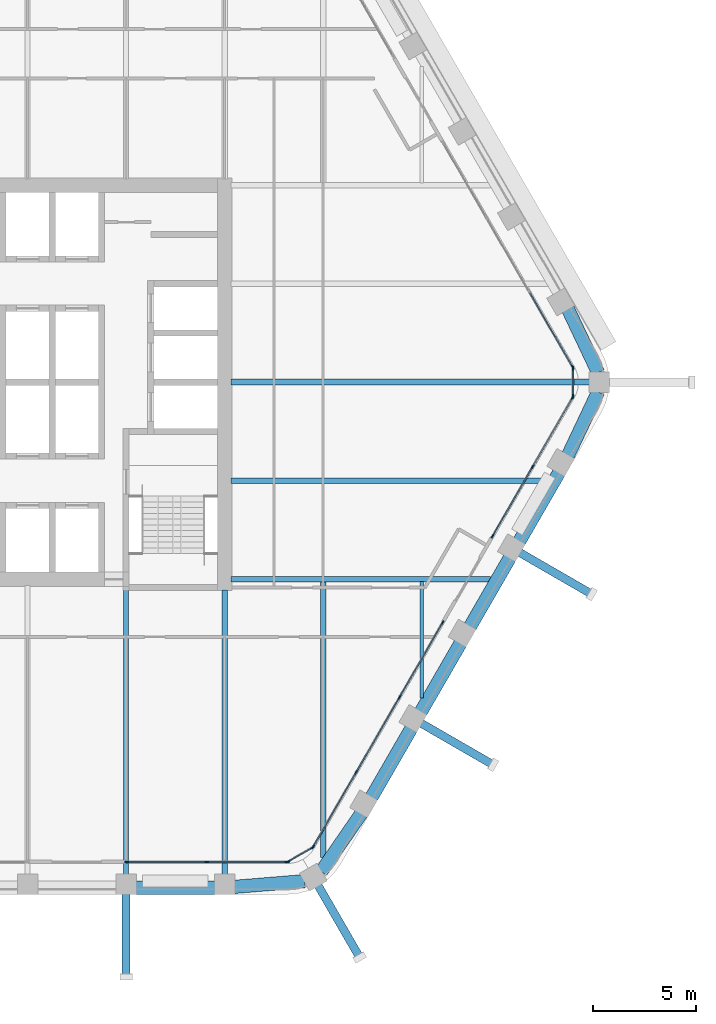
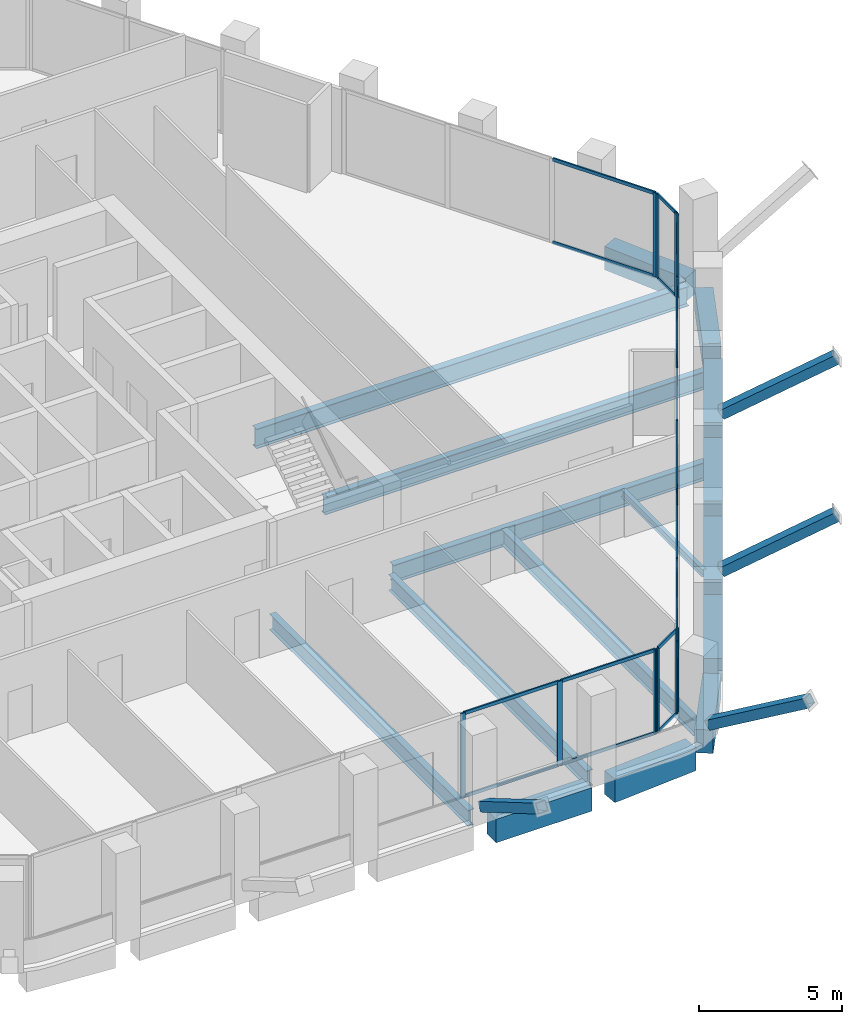
# One storey, part 4 of 16: 39 members, 16 beams, 6 elements without a shape of their own.
"""IFC4 building model written with IfcOpenShell, lengths in metres."""

from ifc_helpers import new_model, si_unit, direction, frame, origin, origin_2d, place, context, subcontext, project, spatial, rectangle, hollow_rectangle, i_section, extrude, material, material_profile, profile_set, type_object, element, aggregate, save


model = new_model("IFC4")

# Units and contexts
model_context = context("Model", 3, precision=1e-05, world=origin(), true_north=direction((0.0, 1.0)))
body_context = subcontext(model_context, "Body", "Model", "MODEL_VIEW")
ifc_project = project(units=[si_unit("LENGTHUNIT", "METRE"), si_unit("AREAUNIT", "SQUARE_METRE"), si_unit("VOLUMEUNIT", "CUBIC_METRE"), si_unit("PLANEANGLEUNIT", "RADIAN"), si_unit("MASSUNIT", "GRAM", prefix="KILO")], contexts=[model_context])

# Site, building, storey
site_placement = place(None, origin())
site = spatial("IfcSite", under=ifc_project, at=site_placement, CompositionType="ELEMENT")
building_placement = place(site_placement, origin())
building = spatial("IfcBuilding", under=site, at=building_placement, Name="Kolab Exchange Tower", CompositionType="ELEMENT")
storey_placement = place(building_placement, frame((0.0, 0.0, 193.39990234375)))
storey = spatial("IfcBuildingStorey", under=building, at=storey_placement, Name="L41", CompositionType="ELEMENT", Elevation=193.39990234375)

# Beams
ifc_material_1 = material(Name="Steel S355", Category="steel")
ifc_material_profile_1 = material_profile(ifc_material_1, i_section(OverallWidth=0.1650390625, OverallDepth=0.31005859375, WebThickness=0.005859375, FlangeThickness=0.009765625, at=origin_2d()), Name="W310X39")
ifc_profile_set_1 = profile_set([ifc_material_profile_1], Name="Steel S355")
beam_type_1 = type_object("IfcBeamType", Name="FLOOR BEAM W310X39", PredefinedType="BEAM", material=ifc_profile_set_1)
beam_1_placement = place(storey_placement, frame((19.199951171875, -15.36767578125, -0.304931640625), z_axis=(0.0, 1.0, 0.0), x_axis=(-1.0, 0.0, 0.0)))
element("IfcBeam", 1, at=beam_1_placement, inside=storey, type_object=beam_type_1, Name="beam/L41/fr/022", PredefinedType="BEAM", context=body_context, shape_type="SweptSolid", body=[
    extrude(i_section(OverallWidth=0.1650390625, OverallDepth=0.31005859375, WebThickness=0.005859375, FlangeThickness=0.009765625, at=origin_2d()), origin(), (0.0, 0.0, 1.0), 5.674072265625),
])
ifc_material_profile_2 = material_profile(ifc_material_1, i_section(OverallWidth=0.25390625, OverallDepth=0.68408203125, WebThickness=0.012451171875, FlangeThickness=0.018798828125, at=origin_2d()), Name="W690X140")
ifc_profile_set_2 = profile_set([ifc_material_profile_2], Name="Steel S355")
beam_type_2 = type_object("IfcBeamType", Name="FLOOR BEAM W690X140", PredefinedType="BEAM", material=ifc_profile_set_2)
for number, where, z_axis, x_axis, name in (
    (2, (4.800048828125, -23.9814453125, -0.491943359375), (0.0, 1.0, 0.0), (-1.0, 0.0, 0.0), "beam/L41/fr/013"),
    (3, (9.60009765625, -23.9814453125, -0.491943359375), (0.0, 1.0, 0.0), (-1.0, 0.0, 0.0), "beam/L41/fr/015"),
):
    element("IfcBeam", number, at=place(storey_placement, frame(where, z_axis=z_axis, x_axis=x_axis)), inside=storey, type_object=beam_type_2, Name=name, PredefinedType="BEAM", context=body_context, shape_type="SweptSolid", body=[
        extrude(i_section(OverallWidth=0.25390625, OverallDepth=0.68408203125, WebThickness=0.012451171875, FlangeThickness=0.018798828125, at=origin_2d()), origin(), (0.0, 0.0, 1.0), 13.871337890625),
    ])
beam_2_placement = place(storey_placement, frame((14.39990234375, -23.15576171875, -0.491943359375), z_axis=(0.0, 1.0, 0.0), x_axis=(-1.0, 0.0, 0.0)))
element("IfcBeam", 4, at=beam_2_placement, inside=storey, type_object=beam_type_2, Name="beam/L41/fr/020", PredefinedType="BEAM", context=body_context, shape_type="SweptSolid", body=[
    extrude(i_section(OverallWidth=0.25390625, OverallDepth=0.68408203125, WebThickness=0.012451171875, FlangeThickness=0.018798828125, at=origin_2d()), origin(), (0.0, 0.0, 1.0), 13.462158203125),
])
ifc_material_profile_3 = material_profile(ifc_material_1, i_section(OverallWidth=0.26708984375, OverallDepth=0.761962890625, WebThickness=0.014404296875, FlangeThickness=0.021484375, at=origin_2d()), Name="W760X173")
ifc_profile_set_3 = profile_set([ifc_material_profile_3], Name="Steel S355")
beam_type_3 = type_object("IfcBeamType", Name="FLOOR BEAM W760X173", PredefinedType="BEAM", material=ifc_profile_set_3)
beam_3_placement = place(storey_placement, frame((9.909912109375, -4.800048828125, -0.531005859375), z_axis=(1.0, 0.0, 0.0), x_axis=(0.0, 1.0, 0.0)))
element("IfcBeam", 5, at=beam_3_placement, inside=storey, type_object=beam_type_3, Name="beam/L41/fr/017", PredefinedType="BEAM", context=body_context, shape_type="SweptSolid", body=[
    extrude(i_section(OverallWidth=0.26708984375, OverallDepth=0.761962890625, WebThickness=0.014404296875, FlangeThickness=0.021484375, at=origin_2d()), origin(), (0.0, 0.0, 1.0), 15.408203125),
])
ifc_material_profile_4 = material_profile(ifc_material_1, i_section(OverallWidth=0.2919921875, OverallDepth=0.840087890625, WebThickness=0.0146484375, FlangeThickness=0.021728515625, at=origin_2d()), Name="W840X193")
ifc_profile_set_4 = profile_set([ifc_material_profile_4], Name="Steel S355")
beam_type_4 = type_object("IfcBeamType", Name="FLOOR BEAM W840X193", PredefinedType="BEAM", material=ifc_profile_set_4)
beam_4_placement = place(storey_placement, frame((9.909912109375, 0.0, -0.56982421875), z_axis=(1.0, 0.0, 0.0), x_axis=(0.0, 1.0, 0.0)))
element("IfcBeam", 6, at=beam_4_placement, inside=storey, type_object=beam_type_4, Name="beam/L41/fr/018", PredefinedType="BEAM", context=body_context, shape_type="SweptSolid", body=[
    extrude(i_section(OverallWidth=0.2919921875, OverallDepth=0.840087890625, WebThickness=0.0146484375, FlangeThickness=0.021728515625, at=origin_2d()), origin(), (0.0, 0.0, 1.0), 17.466064453125),
])
ifc_material_profile_5 = material_profile(ifc_material_1, i_section(OverallWidth=0.26708984375, OverallDepth=0.761962890625, WebThickness=0.014404296875, FlangeThickness=0.021484375, at=origin_2d()), Name="W760X173")
ifc_profile_set_5 = profile_set([ifc_material_profile_5], Name="Steel S355")
beam_type_5 = type_object("IfcBeamType", Name="FLOOR GIRDER W760X173", PredefinedType="BEAM", material=ifc_profile_set_5)
beam_5_placement = place(storey_placement, frame((9.909912109375, -9.60009765625, -0.531005859375), z_axis=(1.0, 0.0, 0.0), x_axis=(0.0, 1.0, 0.0)))
element("IfcBeam", 7, at=beam_5_placement, inside=storey, type_object=beam_type_5, Name="beam/L41/gd/002", PredefinedType="BEAM", context=body_context, shape_type="SweptSolid", body=[
    extrude(i_section(OverallWidth=0.26708984375, OverallDepth=0.761962890625, WebThickness=0.014404296875, FlangeThickness=0.021484375, at=origin_2d()), origin(), (0.0, 0.0, 1.0), 12.636962890625),
])

# Members
ifc_material_profile_6 = material_profile(ifc_material_1, hollow_rectangle(XDim=0.39990234375, YDim=0.39990234375, WallThickness=0.02001953125, at=origin_2d()), Name="HSS400X400X20")
ifc_profile_set_6 = profile_set([ifc_material_profile_6], Name="Steel S355")
member_type_1 = type_object("IfcMemberType", Name="LEDGE STRUT HSS400X400X20", PredefinedType="STRUT", material=ifc_profile_set_6)
for number, where, z_axis, x_axis, name in (
    (8, (23.96533203125, -8.293701171875, 0.60009765625), (0.74714919009, -0.431366436313, 0.505659060406), (0.499999695987, 0.866025579307, 0.0), "mem/L41/ledge/strut-1"),
    (9, (19.165283203125, -16.607666015625, 0.60009765625), (0.74714919009, -0.431366436313, 0.505659060406), (0.499999695987, 0.866025579307, 0.0), "mem/L41/ledge/strut-2"),
    (10, (14.14794921875, -24.5048828125, 0.60009765625), (0.431366436313, -0.74714919009, 0.505659060406), (0.866025579307, 0.499999695987, 0.0), "mem/L41/ledge/strut-3"),
):
    element("IfcMember", number, at=place(storey_placement, frame(where, z_axis=z_axis, x_axis=x_axis)), inside=storey, type_object=member_type_1, Name=name, PredefinedType="STRUT", context=body_context, shape_type="SweptSolid", body=[
        extrude(hollow_rectangle(XDim=0.39990234375, YDim=0.39990234375, WallThickness=0.02001953125, at=origin_2d()), origin(), (0.0, 0.0, 1.0), 4.682861328125),
    ])
member_1_placement = place(storey_placement, frame((4.800048828125, -24.901611328125, 0.60009765625), z_axis=(0.0, -0.862719931648, 0.505682034027), x_axis=(1.0, 0.0, 0.0)))
element("IfcMember", 11, at=member_1_placement, inside=storey, type_object=member_type_1, Name="mem/L41/ledge/strut-4", PredefinedType="STRUT", context=body_context, shape_type="SweptSolid", body=[
    extrude(hollow_rectangle(XDim=0.39990234375, YDim=0.39990234375, WallThickness=0.02001953125, at=origin_2d()), origin(), (0.0, 0.0, 1.0), 4.6826171875),
])

# Beams
ifc_material_2 = material(Name="Concrete C60/75", Category="concrete")
ifc_material_profile_7 = material_profile(ifc_material_2, rectangle(XDim=0.64990234375, YDim=1.0, at=origin_2d()), Name="RC650X1000")
ifc_profile_set_7 = profile_set([ifc_material_profile_7], Name="Concrete C60/75")
beam_type_6 = type_object("IfcBeamType", Name="SPANDREL BEAM 650X1000 C60/75", PredefinedType="BEAM", material=ifc_profile_set_7)
for number, where, z_axis, x_axis, name in (
    (12, (26.316162109375, 3.5771484375, -0.64990234375), (0.428177731975, -0.903694544545, 0.0), (0.903694544545, 0.428177731975, 0.0), "beam/L41/sp/F2-06"),
    (13, (27.791259765625, -0.4638671875, -0.64990234375), (-0.428177731975, -0.903694544545, 0.0), (0.903694544545, -0.428177731975, 0.0), "beam/L41/sp/F3-01"),
):
    element("IfcBeam", number, at=place(storey_placement, frame(where, z_axis=z_axis, x_axis=x_axis)), inside=storey, type_object=beam_type_6, Name=name, PredefinedType="BEAM", context=body_context, shape_type="SweptSolid", body=[
        extrude(rectangle(XDim=0.64990234375, YDim=1.0, at=origin_2d()), origin(), (0.0, 0.0, 1.0), 3.445068359375),
    ])
for number, where, z_axis, x_axis, name in (
    (14, (25.888427734375, -4.392822265625, -0.64990234375), (-0.499996613652, -0.866027358884, 0.0), (0.866027358884, -0.499996613652, 0.0), "beam/L41/sp/F3-02"),
    (15, (23.488525390625, -8.5498046875, -0.64990234375), (-0.499996613652, -0.866027358884, 0.0), (0.866027358884, -0.499996613652, 0.0), "beam/L41/sp/F3-03"),
):
    element("IfcBeam", number, at=place(storey_placement, frame(where, z_axis=z_axis, x_axis=x_axis)), inside=storey, type_object=beam_type_6, Name=name, PredefinedType="BEAM", context=body_context, shape_type="SweptSolid", body=[
        extrude(rectangle(XDim=0.64990234375, YDim=1.0, at=origin_2d()), origin(), (0.0, 0.0, 1.0), 3.8798828125),
    ])
beam_6_placement = place(storey_placement, frame((21.088623046875, -12.70654296875, -0.64990234375), z_axis=(-0.50001655835, -0.866015843605, 0.0), x_axis=(0.866015843605, -0.50001655835, 0.0)))
element("IfcBeam", 16, at=beam_6_placement, inside=storey, type_object=beam_type_6, Name="beam/L41/sp/F3-04", PredefinedType="BEAM", context=body_context, shape_type="SweptSolid", body=[
    extrude(rectangle(XDim=0.64990234375, YDim=1.0, at=origin_2d()), origin(), (0.0, 0.0, 1.0), 3.880126953125),
])
beam_7_placement = place(storey_placement, frame((18.6884765625, -16.863525390625, -0.64990234375), z_axis=(-0.499996613652, -0.866027358884, 0.0), x_axis=(0.866027358884, -0.499996613652, 0.0)))
element("IfcBeam", 17, at=beam_7_placement, inside=storey, type_object=beam_type_6, Name="beam/L41/sp/F3-05", PredefinedType="BEAM", context=body_context, shape_type="SweptSolid", body=[
    extrude(rectangle(XDim=0.64990234375, YDim=1.0, at=origin_2d()), origin(), (0.0, 0.0, 1.0), 3.8798828125),
])
for number, where, z_axis, x_axis, name in (
    (18, (16.256103515625, -21.001953125, -0.64990234375), (-0.568572281073, -0.822633309073, 0.0), (0.822633309073, -0.568572281073, 0.0), "beam/L41/sp/F3-06"),
    (19, (13.493896484375, -24.2998046875, -0.64990234375), (-0.996708497182, -0.081068931445, 0.0), (0.081068931445, -0.996708497182, 0.0), "beam/L41/sp/F4-01"),
):
    element("IfcBeam", number, at=place(storey_placement, frame(where, z_axis=z_axis, x_axis=x_axis)), inside=storey, type_object=beam_type_6, Name=name, PredefinedType="BEAM", context=body_context, shape_type="SweptSolid", body=[
        extrude(rectangle(XDim=0.64990234375, YDim=1.0, at=origin_2d()), origin(), (0.0, 0.0, 1.0), 3.445068359375),
    ])
beam_8_placement = place(storey_placement, frame((9.139892578125, -24.616455078125, -0.64990234375), z_axis=(-1.0, 0.0, 0.0), x_axis=(0.0, -1.0, 0.0)))
element("IfcBeam", 20, at=beam_8_placement, inside=storey, type_object=beam_type_6, Name="beam/L41/sp/F4-02", PredefinedType="BEAM", context=body_context, shape_type="SweptSolid", body=[
    extrude(rectangle(XDim=0.64990234375, YDim=1.0, at=origin_2d()), origin(), (0.0, 0.0, 1.0), 3.8798828125),
])

# Curtain wall, member
ifc_material_3 = material(Name="Aluminium EN AW-6063 T6", Category="aluminium")
curtain_wall_type = type_object("IfcCurtainWallType", Name="UNITISED UPPER MID ZONE CURTAIN WALL", PredefinedType="NOTDEFINED", material=ifc_material_3)
curtain_wall_1_placement = place(storey_placement, origin())
curtain_wall_1 = element("IfcCurtainWall", 21, at=curtain_wall_1_placement, inside=storey, type_object=curtain_wall_type, Name="cw/L41/F2-2", PredefinedType="NOTDEFINED")
ifc_material_profile_8 = material_profile(ifc_material_3, rectangle(XDim=0.06005859375, YDim=0.199951171875, at=origin_2d()), Name="RECT 60X200")
ifc_profile_set_8 = profile_set([ifc_material_profile_8], Name="Aluminium EN AW-6063 T6")
member_type_2 = type_object("IfcMemberType", Name="UNITISED UPPER MID ZONE MULLION 60 X 200", PredefinedType="MULLION", material=ifc_profile_set_8)
member_2_placement = place(storey_placement, frame((26.550537109375, 0.736083984375, 0.0), z_axis=(0.0, 0.0, 1.0), x_axis=(0.866025427826, 0.499999958358, 0.0)))
member_2 = element("IfcMember", 22, at=member_2_placement, type_object=member_type_2, Name="CW3 mullion 4", PredefinedType="MULLION", context=body_context, shape_type="SweptSolid", body=[
    extrude(rectangle(XDim=0.06005859375, YDim=0.199951171875, at=origin_2d()), origin(), (0.0, 0.0, 1.0), 3.60009765625),
])

# Curtain wall, members
curtain_wall_2_placement = place(storey_placement, origin())
curtain_wall_2 = element("IfcCurtainWall", 23, at=curtain_wall_2_placement, inside=storey, type_object=curtain_wall_type, Name="cw/L41/F3-1", PredefinedType="NOTDEFINED")
member_3_placement = place(storey_placement, frame((26.550537109375, -0.736083984375, 0.0), z_axis=(0.0, 0.0, 1.0), x_axis=(0.866025440524, -0.499999936366, 0.0)))
member_3 = element("IfcMember", 24, at=member_3_placement, type_object=member_type_2, Name="CW3 mullion 1", PredefinedType="MULLION", context=body_context, shape_type="SweptSolid", body=[
    extrude(rectangle(XDim=0.06005859375, YDim=0.199951171875, at=origin_2d()), origin(), (0.0, 0.0, 1.0), 3.60009765625),
])
member_4_placement = place(storey_placement, frame((24.5986328125, -4.116943359375, 0.0), z_axis=(0.0, 0.0, 1.0), x_axis=(0.866025440524, -0.499999936366, 0.0)))
member_4 = element("IfcMember", 25, at=member_4_placement, type_object=member_type_2, Name="CW3 mullion 2", PredefinedType="MULLION", context=body_context, shape_type="SweptSolid", body=[
    extrude(rectangle(XDim=0.06005859375, YDim=0.199951171875, at=origin_2d()), origin(), (0.0, 0.0, 1.0), 3.60009765625),
])
member_5_placement = place(storey_placement, frame((22.646728515625, -7.497802734375, 0.0), z_axis=(0.0, 0.0, 1.0), x_axis=(0.866025440524, -0.499999936366, 0.0)))
member_5 = element("IfcMember", 26, at=member_5_placement, type_object=member_type_2, Name="CW3 mullion 3", PredefinedType="MULLION", context=body_context, shape_type="SweptSolid", body=[
    extrude(rectangle(XDim=0.06005859375, YDim=0.199951171875, at=origin_2d()), origin(), (0.0, 0.0, 1.0), 3.60009765625),
])

curtain_wall_3_placement = place(storey_placement, origin())
curtain_wall_3 = element("IfcCurtainWall", 27, at=curtain_wall_3_placement, inside=storey, type_object=curtain_wall_type, Name="cw/L41/F3-2", PredefinedType="NOTDEFINED")
member_6_placement = place(storey_placement, frame((20.216796875, -11.706787109375, 0.0), z_axis=(0.0, 0.0, 1.0), x_axis=(0.866025393644, -0.500000017564, 0.0)))
member_6 = element("IfcMember", 28, at=member_6_placement, type_object=member_type_2, Name="CW3 mullion 1", PredefinedType="MULLION", context=body_context, shape_type="SweptSolid", body=[
    extrude(rectangle(XDim=0.06005859375, YDim=0.199951171875, at=origin_2d()), origin(), (0.0, 0.0, 1.0), 3.60009765625),
])
member_7_placement = place(storey_placement, frame((18.120361328125, -15.337646484375, 0.0), z_axis=(0.0, 0.0, 1.0), x_axis=(0.866025393644, -0.500000017564, 0.0)))
member_7 = element("IfcMember", 29, at=member_7_placement, type_object=member_type_2, Name="CW3 mullion 2", PredefinedType="MULLION", context=body_context, shape_type="SweptSolid", body=[
    extrude(rectangle(XDim=0.06005859375, YDim=0.199951171875, at=origin_2d()), origin(), (0.0, 0.0, 1.0), 3.60009765625),
])
member_8_placement = place(storey_placement, frame((16.009033203125, -18.99462890625, 0.0), z_axis=(0.0, 0.0, 1.0), x_axis=(0.866025393644, -0.500000017564, 0.0)))
member_8 = element("IfcMember", 30, at=member_8_placement, type_object=member_type_2, Name="CW3 mullion 3", PredefinedType="MULLION", context=body_context, shape_type="SweptSolid", body=[
    extrude(rectangle(XDim=0.06005859375, YDim=0.199951171875, at=origin_2d()), origin(), (0.0, 0.0, 1.0), 3.60009765625),
])
member_9_placement = place(storey_placement, frame((13.91259765625, -22.62548828125, 0.0), z_axis=(0.0, 0.0, 1.0), x_axis=(0.866025393644, -0.500000017564, 0.0)))
member_9 = element("IfcMember", 31, at=member_9_placement, type_object=member_type_2, Name="CW3 mullion 4", PredefinedType="MULLION", context=body_context, shape_type="SweptSolid", body=[
    extrude(rectangle(XDim=0.06005859375, YDim=0.199951171875, at=origin_2d()), origin(), (0.0, 0.0, 1.0), 3.60009765625),
])

curtain_wall_4_placement = place(storey_placement, origin())
curtain_wall_4 = element("IfcCurtainWall", 32, at=curtain_wall_4_placement, inside=storey, type_object=curtain_wall_type, Name="cw/L41/F4-1", PredefinedType="NOTDEFINED")
member_10_placement = place(storey_placement, frame((12.637939453125, -23.361572265625, 0.0), z_axis=(0.0, 0.0, 1.0), x_axis=(0.0, -1.0, 0.0)))
member_10 = element("IfcMember", 33, at=member_10_placement, type_object=member_type_2, Name="CW3 mullion 1", PredefinedType="MULLION", context=body_context, shape_type="SweptSolid", body=[
    extrude(rectangle(XDim=0.06005859375, YDim=0.199951171875, at=origin_2d()), origin(), (0.0, 0.0, 1.0), 3.60009765625),
])
member_11_placement = place(storey_placement, frame((8.73388671875, -23.361572265625, 0.0), z_axis=(0.0, 0.0, 1.0), x_axis=(0.0, -1.0, 0.0)))
member_11 = element("IfcMember", 34, at=member_11_placement, type_object=member_type_2, Name="CW3 mullion 2", PredefinedType="MULLION", context=body_context, shape_type="SweptSolid", body=[
    extrude(rectangle(XDim=0.06005859375, YDim=0.199951171875, at=origin_2d()), origin(), (0.0, 0.0, 1.0), 3.60009765625),
])
member_12_placement = place(storey_placement, frame((4.830078125, -23.361572265625, 0.0), z_axis=(0.0, 0.0, 1.0), x_axis=(0.0, -1.0, 0.0)))
member_12 = element("IfcMember", 35, at=member_12_placement, type_object=member_type_2, Name="CW3 mullion 3", PredefinedType="MULLION", context=body_context, shape_type="SweptSolid", body=[
    extrude(rectangle(XDim=0.06005859375, YDim=0.199951171875, at=origin_2d()), origin(), (0.0, 0.0, 1.0), 3.60009765625),
])

curtain_wall_5_placement = place(storey_placement, origin())
curtain_wall_5 = element("IfcCurtainWall", 36, at=curtain_wall_5_placement, inside=storey, type_object=curtain_wall_type, Name="cw/L41/F2F3-corner", PredefinedType="NOTDEFINED")
member_13_placement = place(storey_placement, frame((26.565673828125, 0.679931640625, 0.0), z_axis=(0.0, 0.0, 1.0), x_axis=(1.0, 0.0, 0.0)))
member_13 = element("IfcMember", 37, at=member_13_placement, type_object=member_type_2, Name="CW3 mullion 1", PredefinedType="MULLION", context=body_context, shape_type="SweptSolid", body=[
    extrude(rectangle(XDim=0.06005859375, YDim=0.199951171875, at=origin_2d()), origin(), (0.0, 0.0, 1.0), 3.60009765625),
])
member_14_placement = place(storey_placement, frame((26.565673828125, -0.679931640625, 0.0), z_axis=(0.0, 0.0, 1.0), x_axis=(1.0, 0.0, 0.0)))
member_14 = element("IfcMember", 38, at=member_14_placement, type_object=member_type_2, Name="CW3 mullion 2", PredefinedType="MULLION", context=body_context, shape_type="SweptSolid", body=[
    extrude(rectangle(XDim=0.06005859375, YDim=0.199951171875, at=origin_2d()), origin(), (0.0, 0.0, 1.0), 3.60009765625),
])

curtain_wall_6_placement = place(storey_placement, origin())
curtain_wall_6 = element("IfcCurtainWall", 39, at=curtain_wall_6_placement, inside=storey, type_object=curtain_wall_type, Name="cw/L41/F3F4-corner", PredefinedType="NOTDEFINED")
member_15_placement = place(storey_placement, frame((13.871826171875, -22.66650390625, 0.0), z_axis=(0.0, 0.0, 1.0), x_axis=(0.50000002237, -0.866025390869, 0.0)))
member_15 = element("IfcMember", 40, at=member_15_placement, type_object=member_type_2, Name="CW3 mullion 1", PredefinedType="MULLION", context=body_context, shape_type="SweptSolid", body=[
    extrude(rectangle(XDim=0.06005859375, YDim=0.199951171875, at=origin_2d()), origin(), (0.0, 0.0, 1.0), 3.60009765625),
])
member_16_placement = place(storey_placement, frame((12.69384765625, -23.346435546875, 0.0), z_axis=(0.0, 0.0, 1.0), x_axis=(0.50000002237, -0.866025390869, 0.0)))
member_16 = element("IfcMember", 41, at=member_16_placement, type_object=member_type_2, Name="CW3 mullion 2", PredefinedType="MULLION", context=body_context, shape_type="SweptSolid", body=[
    extrude(rectangle(XDim=0.06005859375, YDim=0.199951171875, at=origin_2d()), origin(), (0.0, 0.0, 1.0), 3.60009765625),
])

# Member
ifc_material_profile_9 = material_profile(ifc_material_3, rectangle(XDim=0.06005859375, YDim=0.139892578125, at=origin_2d()), Name="RECT 60X140")
ifc_profile_set_9 = profile_set([ifc_material_profile_9], Name="Aluminium EN AW-6063 T6")
member_type_3 = type_object("IfcMemberType", Name="UNITISED UPPER MID ZONE TRANSOM 60 X 140", PredefinedType="USERDEFINED", material=ifc_profile_set_9)
member_17_placement = place(storey_placement, frame((24.46923828125, 4.3408203125, 0.030029296875), z_axis=(0.500027577057, -0.866009481578, 0.0), x_axis=(0.866009481578, 0.500027577057, 0.0)))
member_17 = element("IfcMember", 42, at=member_17_placement, type_object=member_type_3, Name="CW3 transom 3.1", ObjectType="TRANSOM", PredefinedType="USERDEFINED", context=body_context, shape_type="SweptSolid", body=[
    extrude(rectangle(XDim=0.06005859375, YDim=0.139892578125, at=origin_2d()), origin(), (0.0, 0.0, 1.0), 4.132568359375),
])

member_18_placement = place(storey_placement, frame((24.46923828125, 4.3408203125, 3.570068359375), z_axis=(0.500027577057, -0.866009481578, 0.0), x_axis=(0.866009481578, 0.500027577057, 0.0)))
member_18 = element("IfcMember", 43, at=member_18_placement, type_object=member_type_3, Name="CW3 transom 3.2", ObjectType="TRANSOM", PredefinedType="USERDEFINED", context=body_context, shape_type="SweptSolid", body=[
    extrude(rectangle(XDim=0.06005859375, YDim=0.139892578125, at=origin_2d()), origin(), (0.0, 0.0, 1.0), 4.132568359375),
])

aggregate(curtain_wall_1, [member_2, member_17, member_18])

member_19_placement = place(storey_placement, frame((26.53564453125, -0.761962890625, 0.030029296875), z_axis=(-0.499991857942, -0.866030104553, 0.0), x_axis=(0.866030104553, -0.499991857942, 0.0)))
member_19 = element("IfcMember", 44, at=member_19_placement, type_object=member_type_3, Name="CW3 transom 1.1", ObjectType="TRANSOM", PredefinedType="USERDEFINED", context=body_context, shape_type="SweptSolid", body=[
    extrude(rectangle(XDim=0.06005859375, YDim=0.139892578125, at=origin_2d()), origin(), (0.0, 0.0, 1.0), 3.84375),
])

member_20_placement = place(storey_placement, frame((26.53564453125, -0.761962890625, 3.570068359375), z_axis=(-0.499991857942, -0.866030104553, 0.0), x_axis=(0.866030104553, -0.499991857942, 0.0)))
member_20 = element("IfcMember", 45, at=member_20_placement, type_object=member_type_3, Name="CW3 transom 1.2", ObjectType="TRANSOM", PredefinedType="USERDEFINED", context=body_context, shape_type="SweptSolid", body=[
    extrude(rectangle(XDim=0.06005859375, YDim=0.139892578125, at=origin_2d()), origin(), (0.0, 0.0, 1.0), 3.84375),
])

member_21_placement = place(storey_placement, frame((24.583740234375, -4.142822265625, 0.030029296875), z_axis=(-0.500011990396, -0.866018481016, 0.0), x_axis=(0.866018481016, -0.500011990396, 0.0)))
member_21 = element("IfcMember", 46, at=member_21_placement, type_object=member_type_3, Name="CW3 transom 2.1", ObjectType="TRANSOM", PredefinedType="USERDEFINED", context=body_context, shape_type="SweptSolid", body=[
    extrude(rectangle(XDim=0.06005859375, YDim=0.139892578125, at=origin_2d()), origin(), (0.0, 0.0, 1.0), 3.84423828125),
])

member_22_placement = place(storey_placement, frame((24.583740234375, -4.142822265625, 3.570068359375), z_axis=(-0.500011990396, -0.866018481016, 0.0), x_axis=(0.866018481016, -0.500011990396, 0.0)))
member_22 = element("IfcMember", 47, at=member_22_placement, type_object=member_type_3, Name="CW3 transom 2.2", ObjectType="TRANSOM", PredefinedType="USERDEFINED", context=body_context, shape_type="SweptSolid", body=[
    extrude(rectangle(XDim=0.06005859375, YDim=0.139892578125, at=origin_2d()), origin(), (0.0, 0.0, 1.0), 3.84423828125),
])

aggregate(curtain_wall_2, [member_3, member_4, member_5, member_19, member_20, member_21, member_22])

member_23_placement = place(storey_placement, frame((20.20166015625, -11.732666015625, 0.030029296875), z_axis=(-0.500001996123, -0.866024251319, 0.0), x_axis=(0.866024251319, -0.500001996123, 0.0)))
member_23 = element("IfcMember", 48, at=member_23_placement, type_object=member_type_3, Name="CW3 transom 1.1", ObjectType="TRANSOM", PredefinedType="USERDEFINED", context=body_context, shape_type="SweptSolid", body=[
    extrude(rectangle(XDim=0.06005859375, YDim=0.139892578125, at=origin_2d()), origin(), (0.0, 0.0, 1.0), 4.1328125),
])

member_24_placement = place(storey_placement, frame((20.20166015625, -11.732666015625, 3.570068359375), z_axis=(-0.500001996123, -0.866024251319, 0.0), x_axis=(0.866024251319, -0.500001996123, 0.0)))
member_24 = element("IfcMember", 49, at=member_24_placement, type_object=member_type_3, Name="CW3 transom 1.2", ObjectType="TRANSOM", PredefinedType="USERDEFINED", context=body_context, shape_type="SweptSolid", body=[
    extrude(rectangle(XDim=0.06005859375, YDim=0.139892578125, at=origin_2d()), origin(), (0.0, 0.0, 1.0), 4.1328125),
])

member_25_placement = place(storey_placement, frame((18.10546875, -15.36376953125, 0.030029296875), z_axis=(-0.500037208726, -0.86600392025, 0.0), x_axis=(0.86600392025, -0.500037208726, 0.0)))
member_25 = element("IfcMember", 50, at=member_25_placement, type_object=member_type_3, Name="CW3 transom 2.1", ObjectType="TRANSOM", PredefinedType="USERDEFINED", context=body_context, shape_type="SweptSolid", body=[
    extrude(rectangle(XDim=0.06005859375, YDim=0.139892578125, at=origin_2d()), origin(), (0.0, 0.0, 1.0), 4.162841796875),
])

member_26_placement = place(storey_placement, frame((18.10546875, -15.36376953125, 3.570068359375), z_axis=(-0.500037208726, -0.86600392025, 0.0), x_axis=(0.86600392025, -0.500037208726, 0.0)))
member_26 = element("IfcMember", 51, at=member_26_placement, type_object=member_type_3, Name="CW3 transom 2.2", ObjectType="TRANSOM", PredefinedType="USERDEFINED", context=body_context, shape_type="SweptSolid", body=[
    extrude(rectangle(XDim=0.06005859375, YDim=0.139892578125, at=origin_2d()), origin(), (0.0, 0.0, 1.0), 4.162841796875),
])

member_27_placement = place(storey_placement, frame((15.994140625, -19.0205078125, 0.030029296875), z_axis=(-0.500001996123, -0.866024251319, 0.0), x_axis=(0.866024251319, -0.500001996123, 0.0)))
member_27 = element("IfcMember", 52, at=member_27_placement, type_object=member_type_3, Name="CW3 transom 3.1", ObjectType="TRANSOM", PredefinedType="USERDEFINED", context=body_context, shape_type="SweptSolid", body=[
    extrude(rectangle(XDim=0.06005859375, YDim=0.139892578125, at=origin_2d()), origin(), (0.0, 0.0, 1.0), 4.1328125),
])

member_28_placement = place(storey_placement, frame((15.994140625, -19.0205078125, 3.570068359375), z_axis=(-0.500001996123, -0.866024251319, 0.0), x_axis=(0.866024251319, -0.500001996123, 0.0)))
member_28 = element("IfcMember", 53, at=member_28_placement, type_object=member_type_3, Name="CW3 transom 3.2", ObjectType="TRANSOM", PredefinedType="USERDEFINED", context=body_context, shape_type="SweptSolid", body=[
    extrude(rectangle(XDim=0.06005859375, YDim=0.139892578125, at=origin_2d()), origin(), (0.0, 0.0, 1.0), 4.1328125),
])

aggregate(curtain_wall_3, [member_6, member_7, member_8, member_9, member_23, member_24, member_25, member_26, member_27, member_28])

member_29_placement = place(storey_placement, frame((12.60791015625, -23.361572265625, 0.030029296875), z_axis=(-1.0, 0.0, 0.0), x_axis=(0.0, -1.0, 0.0)))
member_29 = element("IfcMember", 54, at=member_29_placement, type_object=member_type_3, Name="CW3 transom 1.1", ObjectType="TRANSOM", PredefinedType="USERDEFINED", context=body_context, shape_type="SweptSolid", body=[
    extrude(rectangle(XDim=0.06005859375, YDim=0.139892578125, at=origin_2d()), origin(), (0.0, 0.0, 1.0), 3.843994140625),
])

member_30_placement = place(storey_placement, frame((12.60791015625, -23.361572265625, 3.570068359375), z_axis=(-1.0, 0.0, 0.0), x_axis=(0.0, -1.0, 0.0)))
member_30 = element("IfcMember", 55, at=member_30_placement, type_object=member_type_3, Name="CW3 transom 1.2", ObjectType="TRANSOM", PredefinedType="USERDEFINED", context=body_context, shape_type="SweptSolid", body=[
    extrude(rectangle(XDim=0.06005859375, YDim=0.139892578125, at=origin_2d()), origin(), (0.0, 0.0, 1.0), 3.843994140625),
])

member_31_placement = place(storey_placement, frame((8.703857421875, -23.361572265625, 0.030029296875), z_axis=(-1.0, 0.0, 0.0), x_axis=(0.0, -1.0, 0.0)))
member_31 = element("IfcMember", 56, at=member_31_placement, type_object=member_type_3, Name="CW3 transom 2.1", ObjectType="TRANSOM", PredefinedType="USERDEFINED", context=body_context, shape_type="SweptSolid", body=[
    extrude(rectangle(XDim=0.06005859375, YDim=0.139892578125, at=origin_2d()), origin(), (0.0, 0.0, 1.0), 3.84375),
])

member_32_placement = place(storey_placement, frame((8.703857421875, -23.361572265625, 3.570068359375), z_axis=(-1.0, 0.0, 0.0), x_axis=(0.0, -1.0, 0.0)))
member_32 = element("IfcMember", 57, at=member_32_placement, type_object=member_type_3, Name="CW3 transom 2.2", ObjectType="TRANSOM", PredefinedType="USERDEFINED", context=body_context, shape_type="SweptSolid", body=[
    extrude(rectangle(XDim=0.06005859375, YDim=0.139892578125, at=origin_2d()), origin(), (0.0, 0.0, 1.0), 3.84375),
])

aggregate(curtain_wall_4, [member_10, member_11, member_12, member_29, member_30, member_31, member_32])

member_33_placement = place(storey_placement, frame((26.565673828125, 0.64990234375, 0.030029296875), z_axis=(0.0, -1.0, 0.0), x_axis=(1.0, 0.0, 0.0)))
member_33 = element("IfcMember", 58, at=member_33_placement, type_object=member_type_3, Name="CW3 transom 1.1", ObjectType="TRANSOM", PredefinedType="USERDEFINED", context=body_context, shape_type="SweptSolid", body=[
    extrude(rectangle(XDim=0.06005859375, YDim=0.139892578125, at=origin_2d()), origin(), (0.0, 0.0, 1.0), 1.2998046875),
])

member_34_placement = place(storey_placement, frame((26.565673828125, 0.64990234375, 3.570068359375), z_axis=(0.0, -1.0, 0.0), x_axis=(1.0, 0.0, 0.0)))
member_34 = element("IfcMember", 59, at=member_34_placement, type_object=member_type_3, Name="CW3 transom 1.2", ObjectType="TRANSOM", PredefinedType="USERDEFINED", context=body_context, shape_type="SweptSolid", body=[
    extrude(rectangle(XDim=0.06005859375, YDim=0.139892578125, at=origin_2d()), origin(), (0.0, 0.0, 1.0), 1.2998046875),
])

aggregate(curtain_wall_5, [member_13, member_14, member_33, member_34])

member_35_placement = place(storey_placement, frame((13.845703125, -22.681640625, 0.030029296875), z_axis=(-0.86603858612, -0.49997716683, 0.0), x_axis=(0.49997716683, -0.86603858612, 0.0)))
member_35 = element("IfcMember", 60, at=member_35_placement, type_object=member_type_3, Name="CW3 transom 1.1", ObjectType="TRANSOM", PredefinedType="USERDEFINED", context=body_context, shape_type="SweptSolid", body=[
    extrude(rectangle(XDim=0.06005859375, YDim=0.139892578125, at=origin_2d()), origin(), (0.0, 0.0, 1.0), 1.2998046875),
])

member_36_placement = place(storey_placement, frame((13.845703125, -22.681640625, 3.570068359375), z_axis=(-0.86603858612, -0.49997716683, 0.0), x_axis=(0.49997716683, -0.86603858612, 0.0)))
member_36 = element("IfcMember", 61, at=member_36_placement, type_object=member_type_3, Name="CW3 transom 1.2", ObjectType="TRANSOM", PredefinedType="USERDEFINED", context=body_context, shape_type="SweptSolid", body=[
    extrude(rectangle(XDim=0.06005859375, YDim=0.139892578125, at=origin_2d()), origin(), (0.0, 0.0, 1.0), 1.2998046875),
])

aggregate(curtain_wall_6, [member_15, member_16, member_35, member_36])

save(model, "model.ifc")
